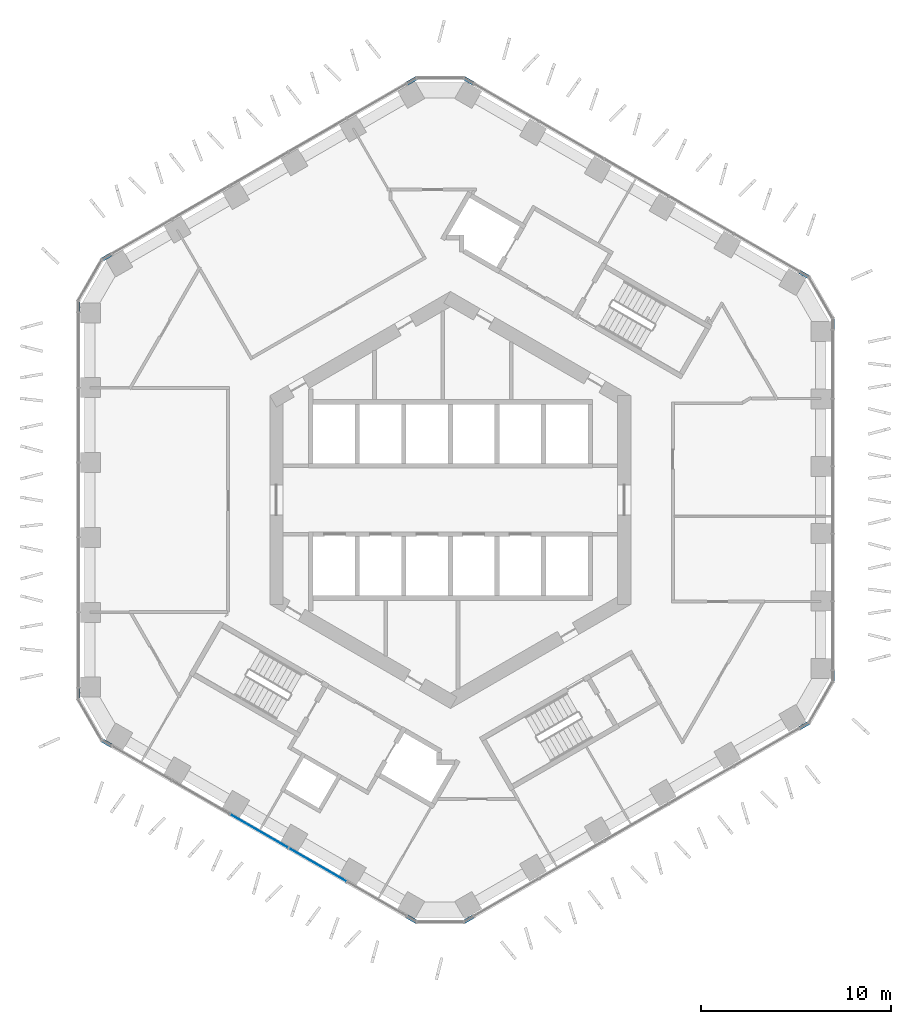
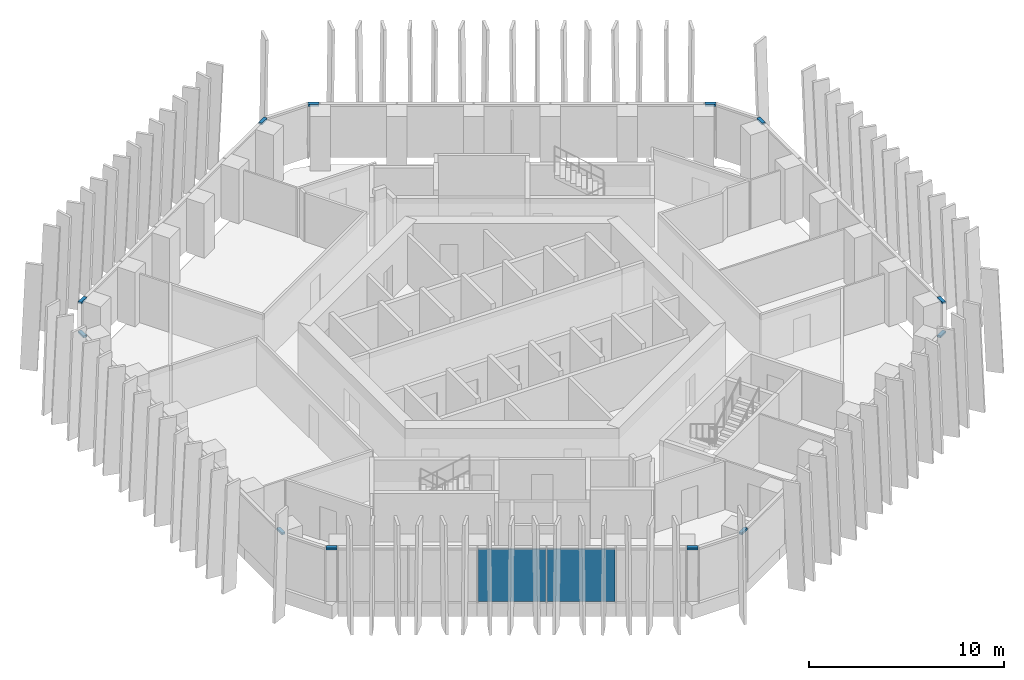
# One storey, part 8 of 19: 12 members, 2 plates, 7 elements without a shape of their own.
"""IFC4 building model written with IfcOpenShell, lengths in metres."""

from ifc_helpers import new_model, si_unit, direction, frame, origin, origin_2d, place, context, subcontext, project, spatial, rectangle, extrude, material, layer, layer_set, material_profile, profile_set, type_object, element, aggregate, save


model = new_model("IFC4")

# Units and contexts
model_context = context("Model", 3, precision=1e-05, world=origin(), true_north=direction((0.0, 1.0)))
body_context = subcontext(model_context, "Body", "Model", "MODEL_VIEW")
ifc_project = project(units=[si_unit("LENGTHUNIT", "METRE"), si_unit("AREAUNIT", "SQUARE_METRE"), si_unit("VOLUMEUNIT", "CUBIC_METRE"), si_unit("PLANEANGLEUNIT", "RADIAN"), si_unit("MASSUNIT", "GRAM", prefix="KILO")], contexts=[model_context])

# Site, building, storey
site_placement = place(None, origin())
site = spatial("IfcSite", under=ifc_project, at=site_placement, CompositionType="ELEMENT")
building_placement = place(site_placement, origin())
building = spatial("IfcBuilding", under=site, at=building_placement, Name="Ayvan Gate Tower", CompositionType="ELEMENT")
storey_placement = place(building_placement, frame((0.0, 0.0, 113.699951171875)))
storey = spatial("IfcBuildingStorey", under=building, at=storey_placement, Name="L30", CompositionType="ELEMENT", Elevation=113.699951171875)

# Curtain wall, members
ifc_material_1 = material(Name="Bronze anodised aluminium", Category="aluminium")
ifc_layer_1 = layer(ifc_material_1, 0.199951171875)
ifc_layer_set_1 = layer_set([ifc_layer_1], Name="Bronze anodised aluminium")
curtain_wall_type_1 = type_object("IfcCurtainWallType", Name="Stick curtain wall CW-6", PredefinedType="NOTDEFINED", material=ifc_layer_set_1)
curtain_wall_1_placement = place(storey_placement, origin())
curtain_wall_1 = element("IfcCurtainWall", 1, at=curtain_wall_1_placement, inside=storey, type_object=curtain_wall_type_1, Name="Stick curtain wall CW-6 L30", PredefinedType="NOTDEFINED")
ifc_material_profile = material_profile(ifc_material_1, rectangle(XDim=0.199951171875, YDim=0.1201171875, at=origin_2d()), Name="Stick curtain wall CW-6 transom 200 x 120")
ifc_profile_set = profile_set([ifc_material_profile], Name="Bronze anodised aluminium")
member_type = type_object("IfcMemberType", Name="Stick curtain wall CW-6 transom 200 x 120", PredefinedType="USERDEFINED", material=ifc_profile_set)
member_1_placement = place(storey_placement, frame((-17.835205078125, 12.924560546875, 3.340087890625), z_axis=(-0.865912065108, -0.500196256984, 0.0), x_axis=(0.500196256984, -0.865912065108, 0.0)))
member_1 = element("IfcMember", 2, at=member_1_placement, type_object=member_type, Name="CW-6 transom 1", ObjectType="TRANSOM", PredefinedType="USERDEFINED", context=body_context, shape_type="SweptSolid", body=[
    extrude(rectangle(XDim=0.199951171875, YDim=0.1201171875, at=origin_2d()), origin(), (0.0, 0.0, 1.0), 0.550048828125),
])
member_2_placement = place(storey_placement, frame((-19.576416015625, 10.45849609375, 3.340087890625), z_axis=(0.0, -1.0, 0.0), x_axis=(1.0, 0.0, 0.0)))
member_2 = element("IfcMember", 3, at=member_2_placement, type_object=member_type, Name="CW-6 transom 3", ObjectType="TRANSOM", PredefinedType="USERDEFINED", context=body_context, shape_type="SweptSolid", body=[
    extrude(rectangle(XDim=0.199951171875, YDim=0.1201171875, at=origin_2d()), origin(), (0.0, 0.0, 1.0), 0.5498046875),
])
aggregate(curtain_wall_1, [member_1, member_2])

curtain_wall_2_placement = place(storey_placement, origin())
curtain_wall_2 = element("IfcCurtainWall", 4, at=curtain_wall_2_placement, inside=storey, type_object=curtain_wall_type_1, Name="Stick curtain wall CW-6 L30", PredefinedType="NOTDEFINED")
member_3_placement = place(storey_placement, frame((-19.576416015625, -9.90869140625, 3.340087890625), z_axis=(0.0, -1.0, 0.0), x_axis=(1.0, 0.0, 0.0)))
member_3 = element("IfcMember", 5, at=member_3_placement, type_object=member_type, Name="CW-6 transom 1", ObjectType="TRANSOM", PredefinedType="USERDEFINED", context=body_context, shape_type="SweptSolid", body=[
    extrude(rectangle(XDim=0.199951171875, YDim=0.1201171875, at=origin_2d()), origin(), (0.0, 0.0, 1.0), 0.5498046875),
])
member_4_placement = place(storey_placement, frame((-18.3115234375, -12.6494140625, 3.340087890625), z_axis=(0.865912065108, -0.500196256984, 0.0), x_axis=(0.500196256984, 0.865912065108, 0.0)))
member_4 = element("IfcMember", 6, at=member_4_placement, type_object=member_type, Name="CW-6 transom 3", ObjectType="TRANSOM", PredefinedType="USERDEFINED", context=body_context, shape_type="SweptSolid", body=[
    extrude(rectangle(XDim=0.199951171875, YDim=0.1201171875, at=origin_2d()), origin(), (0.0, 0.0, 1.0), 0.550048828125),
])
aggregate(curtain_wall_2, [member_3, member_4])

curtain_wall_3_placement = place(storey_placement, origin())
curtain_wall_3 = element("IfcCurtainWall", 7, at=curtain_wall_3_placement, inside=storey, type_object=curtain_wall_type_1, Name="Stick curtain wall CW-6 L30", PredefinedType="NOTDEFINED")
member_5_placement = place(storey_placement, frame((-2.275390625, -21.907958984375, 3.340087890625), z_axis=(0.865912065108, -0.500196256984, 0.0), x_axis=(0.500196256984, 0.865912065108, 0.0)))
member_5 = element("IfcMember", 8, at=member_5_placement, type_object=member_type, Name="CW-6 transom 1", ObjectType="TRANSOM", PredefinedType="USERDEFINED", context=body_context, shape_type="SweptSolid", body=[
    extrude(rectangle(XDim=0.199951171875, YDim=0.1201171875, at=origin_2d()), origin(), (0.0, 0.0, 1.0), 0.550048828125),
])
member_6_placement = place(storey_placement, frame((0.730712890625, -22.18310546875, 3.340087890625), z_axis=(0.865912065108, 0.500196256984, 0.0), x_axis=(-0.500196256984, 0.865912065108, 0.0)))
member_6 = element("IfcMember", 9, at=member_6_placement, type_object=member_type, Name="CW-6 transom 3", ObjectType="TRANSOM", PredefinedType="USERDEFINED", context=body_context, shape_type="SweptSolid", body=[
    extrude(rectangle(XDim=0.199951171875, YDim=0.1201171875, at=origin_2d()), origin(), (0.0, 0.0, 1.0), 0.550048828125),
])
aggregate(curtain_wall_3, [member_5, member_6])

curtain_wall_4_placement = place(storey_placement, origin())
curtain_wall_4 = element("IfcCurtainWall", 10, at=curtain_wall_4_placement, inside=storey, type_object=curtain_wall_type_1, Name="Stick curtain wall CW-6 L30", PredefinedType="NOTDEFINED")
member_7_placement = place(storey_placement, frame((18.369384765625, -11.99951171875, 3.340087890625), z_axis=(0.865912065108, 0.500196256984, 0.0), x_axis=(-0.500196256984, 0.865912065108, 0.0)))
member_7 = element("IfcMember", 11, at=member_7_placement, type_object=member_type, Name="CW-6 transom 1", ObjectType="TRANSOM", PredefinedType="USERDEFINED", context=body_context, shape_type="SweptSolid", body=[
    extrude(rectangle(XDim=0.199951171875, YDim=0.1201171875, at=origin_2d()), origin(), (0.0, 0.0, 1.0), 0.550048828125),
])
member_8_placement = place(storey_placement, frame((20.110595703125, -9.533447265625, 3.340087890625), z_axis=(0.0, 1.0, 0.0), x_axis=(-1.0, 0.0, 0.0)))
member_8 = element("IfcMember", 12, at=member_8_placement, type_object=member_type, Name="CW-6 transom 3", ObjectType="TRANSOM", PredefinedType="USERDEFINED", context=body_context, shape_type="SweptSolid", body=[
    extrude(rectangle(XDim=0.199951171875, YDim=0.1201171875, at=origin_2d()), origin(), (0.0, 0.0, 1.0), 0.550048828125),
])
aggregate(curtain_wall_4, [member_7, member_8])

curtain_wall_5_placement = place(storey_placement, origin())
curtain_wall_5 = element("IfcCurtainWall", 13, at=curtain_wall_5_placement, inside=storey, type_object=curtain_wall_type_1, Name="Stick curtain wall CW-6 L30", PredefinedType="NOTDEFINED")
member_9_placement = place(storey_placement, frame((20.110595703125, 8.9833984375, 3.340087890625), z_axis=(0.0, 1.0, 0.0), x_axis=(-1.0, 0.0, 0.0)))
member_9 = element("IfcMember", 14, at=member_9_placement, type_object=member_type, Name="CW-6 transom 1", ObjectType="TRANSOM", PredefinedType="USERDEFINED", context=body_context, shape_type="SweptSolid", body=[
    extrude(rectangle(XDim=0.199951171875, YDim=0.1201171875, at=origin_2d()), origin(), (0.0, 0.0, 1.0), 0.550048828125),
])
member_10_placement = place(storey_placement, frame((18.845703125, 11.724365234375, 3.340087890625), z_axis=(-0.865912065108, 0.500196256984, 0.0), x_axis=(-0.500196256984, -0.865912065108, 0.0)))
member_10 = element("IfcMember", 15, at=member_10_placement, type_object=member_type, Name="CW-6 transom 3", ObjectType="TRANSOM", PredefinedType="USERDEFINED", context=body_context, shape_type="SweptSolid", body=[
    extrude(rectangle(XDim=0.199951171875, YDim=0.1201171875, at=origin_2d()), origin(), (0.0, 0.0, 1.0), 0.550048828125),
])
aggregate(curtain_wall_5, [member_9, member_10])

curtain_wall_6_placement = place(storey_placement, origin())
curtain_wall_6 = element("IfcCurtainWall", 16, at=curtain_wall_6_placement, inside=storey, type_object=curtain_wall_type_1, Name="Stick curtain wall CW-6 L30", PredefinedType="NOTDEFINED")
member_11_placement = place(storey_placement, frame((1.20703125, 21.907958984375, 3.340087890625), z_axis=(-0.865912065108, 0.500196256984, 0.0), x_axis=(-0.500196256984, -0.865912065108, 0.0)))
member_11 = element("IfcMember", 17, at=member_11_placement, type_object=member_type, Name="CW-6 transom 1", ObjectType="TRANSOM", PredefinedType="USERDEFINED", context=body_context, shape_type="SweptSolid", body=[
    extrude(rectangle(XDim=0.199951171875, YDim=0.1201171875, at=origin_2d()), origin(), (0.0, 0.0, 1.0), 0.550048828125),
])
member_12_placement = place(storey_placement, frame((-1.799072265625, 22.18310546875, 3.340087890625), z_axis=(-0.865912065108, -0.500196256984, 0.0), x_axis=(0.500196256984, -0.865912065108, 0.0)))
member_12 = element("IfcMember", 18, at=member_12_placement, type_object=member_type, Name="CW-6 transom 3", ObjectType="TRANSOM", PredefinedType="USERDEFINED", context=body_context, shape_type="SweptSolid", body=[
    extrude(rectangle(XDim=0.199951171875, YDim=0.1201171875, at=origin_2d()), origin(), (0.0, 0.0, 1.0), 0.550048828125),
])
aggregate(curtain_wall_6, [member_11, member_12])

# Curtain wall, plates
ifc_layer_2 = layer(ifc_material_1, 0.199951171875)
ifc_layer_set_2 = layer_set([ifc_layer_2], Name="Bronze anodised aluminium")
curtain_wall_type_2 = type_object("IfcCurtainWallType", Name="Stick curtain wall CW-1", PredefinedType="NOTDEFINED", material=ifc_layer_set_2)
curtain_wall_7_placement = place(storey_placement, origin())
curtain_wall_7 = element("IfcCurtainWall", 19, at=curtain_wall_7_placement, inside=storey, type_object=curtain_wall_type_2, Name="Stick curtain wall CW-1 L30", PredefinedType="NOTDEFINED")
ifc_material_2 = material(Name="Clear low-iron laminated glass", Category="glass")
ifc_layer_3 = layer(ifc_material_2, 0.028076171875)
ifc_layer_set_3 = layer_set([ifc_layer_3], Name="Clear low-iron laminated glass")
plate_type = type_object("IfcPlateType", Name="Stick curtain wall CW-1 glass panel", PredefinedType="CURTAIN_PANEL", material=ifc_layer_set_3)
plate_1_placement = place(storey_placement, frame((-10.05517578125, -17.416259765625, 0.0), z_axis=(0.0, 0.0, 1.0), x_axis=(0.866025403784, -0.5, 0.0)))
plate_1 = element("IfcPlate", 20, at=plate_1_placement, type_object=plate_type, Name="CW-1 glass panel 3", PredefinedType="CURTAIN_PANEL", context=body_context, shape_type="SweptSolid", body=[
    extrude(rectangle(XDim=3.487060546875, YDim=0.028076171875, at=origin_2d()), origin(), (0.0, 0.0, 1.0), 3.280029296875),
])
plate_2_placement = place(storey_placement, frame((-6.9833984375, -19.189697265625, 0.0), z_axis=(0.0, 0.0, 1.0), x_axis=(0.866025403784, -0.5, 0.0)))
plate_2 = element("IfcPlate", 21, at=plate_2_placement, type_object=plate_type, Name="CW-1 glass panel 4", PredefinedType="CURTAIN_PANEL", context=body_context, shape_type="SweptSolid", body=[
    extrude(rectangle(XDim=3.487060546875, YDim=0.028076171875, at=origin_2d()), origin(), (0.0, 0.0, 1.0), 3.280029296875),
])
aggregate(curtain_wall_7, [plate_1, plate_2])

save(model, "model.ifc")
